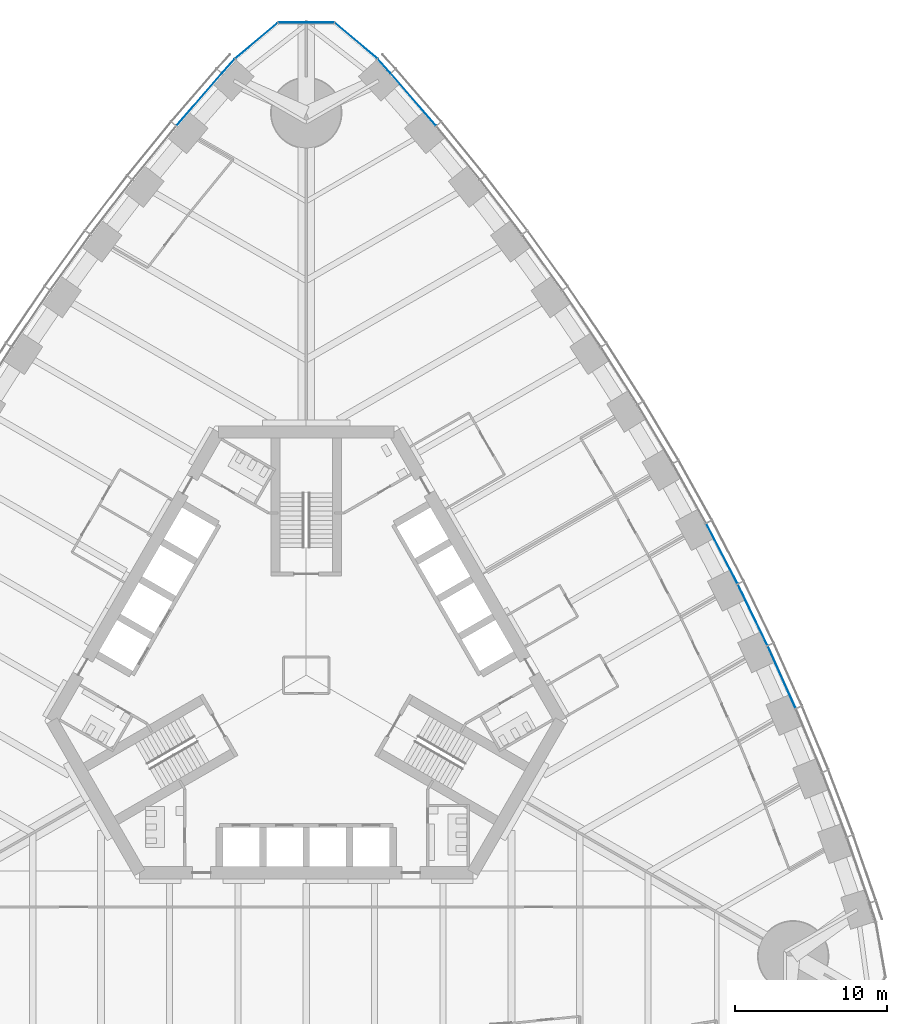
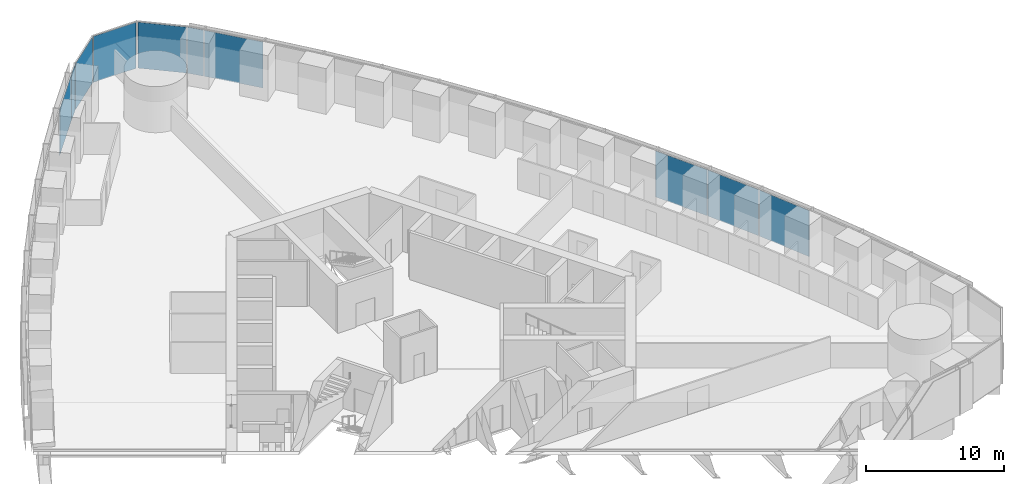
# One storey, part 9 of 19: 10 plates, 3 elements without a shape of their own.
"""IFC4 building model written with IfcOpenShell, lengths in metres."""

from ifc_helpers import new_model, si_unit, direction, frame, origin, origin_2d, place, context, subcontext, project, spatial, rectangle, extrude, material, layer, layer_set, type_object, element, aggregate, save


model = new_model("IFC4")

# Units and contexts
model_context = context("Model", 3, precision=1e-05, world=origin(), true_north=direction((0.0, 1.0)))
body_context = subcontext(model_context, "Body", "Model", "MODEL_VIEW")
ifc_project = project(units=[si_unit("LENGTHUNIT", "METRE"), si_unit("AREAUNIT", "SQUARE_METRE"), si_unit("VOLUMEUNIT", "CUBIC_METRE"), si_unit("PLANEANGLEUNIT", "RADIAN"), si_unit("MASSUNIT", "GRAM", prefix="KILO")], contexts=[model_context])

# Site, building, storey
site_placement = place(None, origin())
site = spatial("IfcSite", under=ifc_project, at=site_placement, CompositionType="ELEMENT")
building_placement = place(site_placement, origin())
building = spatial("IfcBuilding", under=site, at=building_placement, Name="Trefoil Bronze Tower", CompositionType="ELEMENT")
storey_placement = place(building_placement, frame((0.0, 0.0, 83.699951171875)))
storey = spatial("IfcBuildingStorey", under=building, at=storey_placement, Name="L19", CompositionType="ELEMENT", Elevation=83.699951171875)

# Curtain wall, plates
ifc_material_1 = material(Name="Tinted solar-control glass", Category="glass")
curtain_wall_type_1 = type_object("IfcCurtainWallType", Name="Bronze office curtain wall", PredefinedType="USERDEFINED", material=ifc_material_1)
curtain_wall_1_placement = place(storey_placement, origin())
curtain_wall_1 = element("IfcCurtainWall", 1, at=curtain_wall_1_placement, inside=storey, type_object=curtain_wall_type_1, Name="CW-A L19 F2", ObjectType="CURTAIN WALL", PredefinedType="USERDEFINED")
ifc_material_2 = material(Name="Tinted solar-control glass", Category="glass")
ifc_layer_1 = layer(ifc_material_2, 0.030029296875)
ifc_layer_set_1 = layer_set([ifc_layer_1], Name="Bronze office curtain wall glass panel")
plate_type_1 = type_object("IfcPlateType", Name="Bronze office curtain wall glass panel", PredefinedType="CURTAIN_PANEL", material=ifc_layer_set_1)
plate_1_placement = place(storey_placement, frame((31.28857421875, -0.1337890625, 0.0), z_axis=(0.0, 0.0, 1.0), x_axis=(-0.40945635808, 0.912329705111, 0.0)))
plate_1 = element("IfcPlate", 2, at=plate_1_placement, type_object=plate_type_1, Name="CW-A L19 F2 panel 5", PredefinedType="CURTAIN_PANEL", context=body_context, shape_type="SweptSolid", body=[
    extrude(rectangle(XDim=4.443359375, YDim=0.030029296875, at=origin_2d()), origin(), (0.0, 0.0, 1.0), 4.080078125),
])
plate_2_placement = place(storey_placement, frame((29.3779296875, 3.962646484375, 0.0), z_axis=(0.0, 0.0, 1.0), x_axis=(-0.4358553457, 0.900016731858, 0.0)))
plate_2 = element("IfcPlate", 3, at=plate_2_placement, type_object=plate_type_1, Name="CW-A L19 F2 panel 6", PredefinedType="CURTAIN_PANEL", context=body_context, shape_type="SweptSolid", body=[
    extrude(rectangle(XDim=4.431884765625, YDim=0.030029296875, at=origin_2d()), origin(), (0.0, 0.0, 1.0), 4.080078125),
])
plate_3_placement = place(storey_placement, frame((27.353271484375, 7.9931640625, 0.0), z_axis=(0.0, 0.0, 1.0), x_axis=(-0.46182981834, 0.886968555752, 0.0)))
plate_3 = element("IfcPlate", 4, at=plate_3_placement, type_object=plate_type_1, Name="CW-A L19 F2 panel 7", PredefinedType="CURTAIN_PANEL", context=body_context, shape_type="SweptSolid", body=[
    extrude(rectangle(XDim=4.42431640625, YDim=0.030029296875, at=origin_2d()), origin(), (0.0, 0.0, 1.0), 4.080078125),
])
plate_4_placement = place(storey_placement, frame((7.056396484375, 37.870849609375, 0.0), z_axis=(0.0, 0.0, 1.0), x_axis=(-0.654376090833, 0.756169248083, 0.0)))
plate_4 = element("IfcPlate", 5, at=plate_4_placement, type_object=plate_type_1, Name="CW-A L19 F2 panel 15", PredefinedType="CURTAIN_PANEL", context=body_context, shape_type="SweptSolid", body=[
    extrude(rectangle(XDim=4.502197265625, YDim=0.030029296875, at=origin_2d()), origin(), (0.0, 0.0, 1.0), 4.080078125),
])
plate_5_placement = place(storey_placement, frame((5.12451171875, 40.08447265625, 0.0), z_axis=(0.0, 0.0, 1.0), x_axis=(-0.668575006272, 0.743644714221, 0.0)))
plate_5 = element("IfcPlate", 6, at=plate_5_placement, type_object=plate_type_1, Name="CW-A L19 F2 panel 16", PredefinedType="CURTAIN_PANEL", context=body_context, shape_type="SweptSolid", body=[
    extrude(rectangle(XDim=1.21044921875, YDim=0.030029296875, at=origin_2d()), origin(), (0.0, 0.0, 1.0), 4.080078125),
])
aggregate(curtain_wall_1, [plate_1, plate_2, plate_3, plate_4, plate_5])

curtain_wall_2_placement = place(storey_placement, origin())
curtain_wall_2 = element("IfcCurtainWall", 7, at=curtain_wall_2_placement, inside=storey, type_object=curtain_wall_type_1, Name="CW-A L19 F3", ObjectType="CURTAIN WALL", PredefinedType="USERDEFINED")
plate_6_placement = place(storey_placement, frame((-5.12451171875, 40.08447265625, 0.0), z_axis=(0.0, 0.0, 1.0), x_axis=(-0.668575006272, -0.743644714221, 0.0)))
plate_6 = element("IfcPlate", 8, at=plate_6_placement, type_object=plate_type_1, Name="CW-A L19 F3 panel 1", PredefinedType="CURTAIN_PANEL", context=body_context, shape_type="SweptSolid", body=[
    extrude(rectangle(XDim=1.21044921875, YDim=0.030029296875, at=origin_2d()), origin(), (0.0, 0.0, 1.0), 4.080078125),
])
plate_7_placement = place(storey_placement, frame((-7.056396484375, 37.870849609375, 0.0), z_axis=(0.0, 0.0, 1.0), x_axis=(-0.654376090833, -0.756169248083, 0.0)))
plate_7 = element("IfcPlate", 9, at=plate_7_placement, type_object=plate_type_1, Name="CW-A L19 F3 panel 2", PredefinedType="CURTAIN_PANEL", context=body_context, shape_type="SweptSolid", body=[
    extrude(rectangle(XDim=4.502197265625, YDim=0.030029296875, at=origin_2d()), origin(), (0.0, 0.0, 1.0), 4.080078125),
])
aggregate(curtain_wall_2, [plate_6, plate_7])

ifc_material_3 = material(Name="Tinted solar-control glass", Category="glass")
curtain_wall_type_2 = type_object("IfcCurtainWallType", Name="Bronze rounded corner curtain wall", PredefinedType="USERDEFINED", material=ifc_material_3)
curtain_wall_3_placement = place(storey_placement, origin())
curtain_wall_3 = element("IfcCurtainWall", 10, at=curtain_wall_3_placement, inside=storey, type_object=curtain_wall_type_2, Name="CW-B L19 K2", ObjectType="CURTAIN WALL", PredefinedType="USERDEFINED")
ifc_material_4 = material(Name="Tinted solar-control glass", Category="glass")
ifc_layer_2 = layer(ifc_material_4, 0.030029296875)
ifc_layer_set_2 = layer_set([ifc_layer_2], Name="Bronze rounded corner curtain wall glass panel")
plate_type_2 = type_object("IfcPlateType", Name="Bronze rounded corner curtain wall glass panel", PredefinedType="CURTAIN_PANEL", material=ifc_layer_set_2)
plate_8_placement = place(storey_placement, frame((3.28564453125, 41.74658203125, 0.0), z_axis=(0.0, 0.0, 1.0), x_axis=(-0.766044443119, 0.642787609687, 0.0)))
plate_8 = element("IfcPlate", 11, at=plate_8_placement, type_object=plate_type_2, Name="CW-B L19 K2 panel 1", PredefinedType="CURTAIN_PANEL", context=body_context, shape_type="SweptSolid", body=[
    extrude(rectangle(XDim=3.588134765625, YDim=0.030029296875, at=origin_2d()), origin(), (0.0, 0.0, 1.0), 4.080078125),
])
plate_9_placement = place(storey_placement, frame((0.0, 42.9423828125, 0.0), z_axis=(0.0, 0.0, 1.0), x_axis=(-1.0, 0.0, 0.0)))
plate_9 = element("IfcPlate", 12, at=plate_9_placement, type_object=plate_type_2, Name="CW-B L19 K2 panel 2", PredefinedType="CURTAIN_PANEL", context=body_context, shape_type="SweptSolid", body=[
    extrude(rectangle(XDim=3.588134765625, YDim=0.030029296875, at=origin_2d()), origin(), (0.0, 0.0, 1.0), 4.080078125),
])
plate_10_placement = place(storey_placement, frame((-3.28564453125, 41.74658203125, 0.0), z_axis=(0.0, 0.0, 1.0), x_axis=(-0.766044443119, -0.642787609687, 0.0)))
plate_10 = element("IfcPlate", 13, at=plate_10_placement, type_object=plate_type_2, Name="CW-B L19 K2 panel 3", PredefinedType="CURTAIN_PANEL", context=body_context, shape_type="SweptSolid", body=[
    extrude(rectangle(XDim=3.588134765625, YDim=0.030029296875, at=origin_2d()), origin(), (0.0, 0.0, 1.0), 4.080078125),
])
aggregate(curtain_wall_3, [plate_8, plate_9, plate_10])

save(model, "model.ifc")
